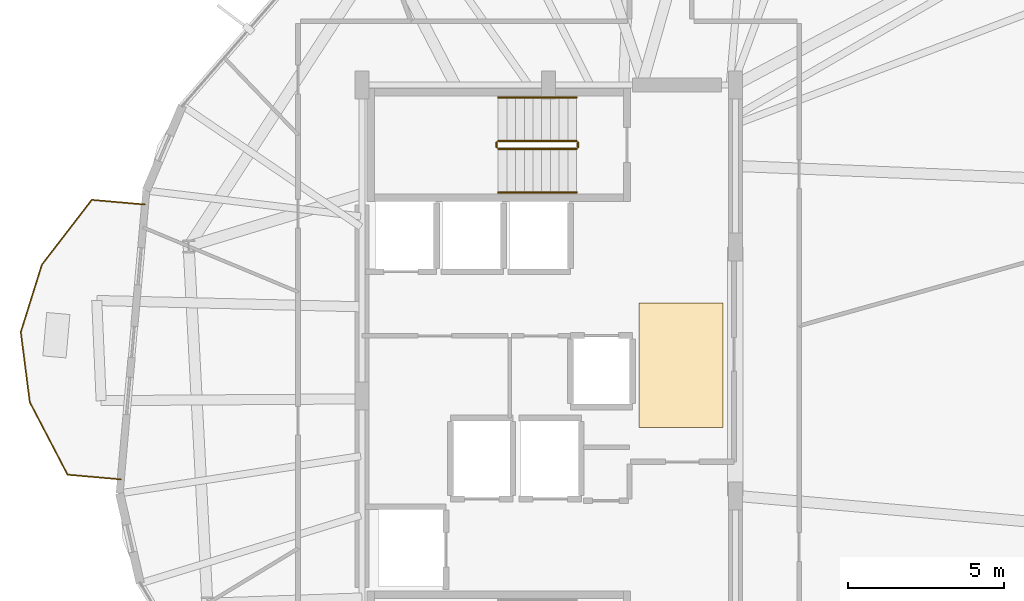
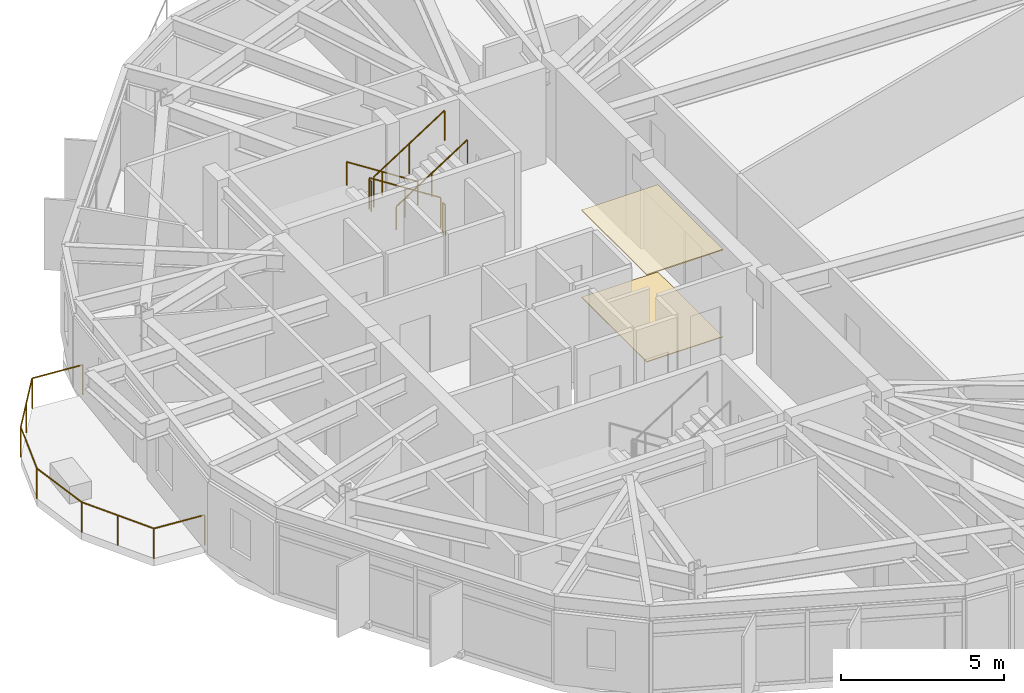
# One storey, part 26 of 27: 7 railings, 2 coverings.
"""IFC4 building model written with IfcOpenShell, lengths in metres."""

from ifc_helpers import new_model, si_unit, direction, frame, origin, origin_2d, place, context, subcontext, project, spatial, polyline, circle, outline, extrude, material, layer, layer_set, type_object, element, save


model = new_model("IFC4")

# Units and contexts
model_context = context("Model", 3, precision=1e-05, world=origin(), true_north=direction((0.0, 1.0)))
body_context = subcontext(model_context, "Body", "Model", "MODEL_VIEW")
ifc_project = project(units=[si_unit("LENGTHUNIT", "METRE"), si_unit("AREAUNIT", "SQUARE_METRE"), si_unit("VOLUMEUNIT", "CUBIC_METRE"), si_unit("PLANEANGLEUNIT", "RADIAN"), si_unit("MASSUNIT", "GRAM", prefix="KILO")], contexts=[model_context])

# Site, building, storey
site_placement = place(None, origin())
site = spatial("IfcSite", under=ifc_project, at=site_placement, CompositionType="ELEMENT")
building_placement = place(site_placement, origin())
building = spatial("IfcBuilding", under=site, at=building_placement, Name="Soratama Intermodal Tower", CompositionType="ELEMENT")
storey_placement = place(building_placement, frame((0.0, 0.0, 212.199951171875)))
storey = spatial("IfcBuildingStorey", under=building, at=storey_placement, Name="L53", CompositionType="ELEMENT", Elevation=212.199951171875)

# Coverings
ifc_material_1 = material(Name="Perforated mineral acoustic ceiling", Category="concrete")
ifc_layer_1 = layer(ifc_material_1, 0.0400390625)
ifc_layer_set_1 = layer_set([ifc_layer_1], Name="Perforated mineral acoustic ceiling")
covering_type_1 = type_object("IfcCoveringType", Name="CV-CEIL-ACOUSTIC", PredefinedType="CEILING", material=ifc_layer_set_1)
covering_1_placement = place(storey_placement, frame((0.0, 0.0, 3.260009765625)))
element("IfcCovering", 1, at=covering_1_placement, inside=storey, type_object=covering_type_1, Name="L53 Acoustic Ceiling", PredefinedType="CEILING", context=body_context, shape_type="SweptSolid", body=[
    extrude(outline(polyline([(41.5, 24.0), (44.199951171875, 24.0), (44.199951171875, 28.0), (41.5, 28.0), (41.5, 24.0)])), origin(), (0.0, 0.0, 1.0), 0.0400390625),
])
ifc_material_2 = material(Name="Polished Andean stone terrazzo flooring", Category="masonry")
ifc_layer_2 = layer(ifc_material_2, 0.030029296875)
ifc_layer_set_2 = layer_set([ifc_layer_2], Name="Polished Andean stone terrazzo flooring")
covering_type_2 = type_object("IfcCoveringType", Name="CV-FLOR-TERRAZZO", PredefinedType="FLOORING", material=ifc_layer_set_2)
covering_2_placement = place(storey_placement, origin())
element("IfcCovering", 2, at=covering_2_placement, inside=storey, type_object=covering_type_2, Name="L53 Lobby Terrazzo Flooring", PredefinedType="FLOORING", context=body_context, shape_type="SweptSolid", body=[
    extrude(outline(polyline([(41.5, 24.0), (44.199951171875, 24.0), (44.199951171875, 28.0), (41.5, 28.0), (41.5, 24.0)])), origin(), (0.0, 0.0, 1.0), 0.030029296875),
])

# Railings
ifc_material_3 = material(Name="Laminated glass and stainless steel balustrade", Category="steel")
railing_type_1 = type_object("IfcRailingType", Name="RL-BAL-1150", PredefinedType="BALUSTRADE", material=ifc_material_3)
railing_1_placement = place(storey_placement, frame((24.854248046875, 22.3251953125, 0.0)))
element("IfcRailing", 3, at=railing_1_placement, inside=storey, type_object=railing_type_1, Name="L53 Balcony Balustrade 2", PredefinedType="BALUSTRADE", context=body_context, shape_type="SweptSolid", body=[
    extrude(circle(Radius=0.02392578125, at=origin_2d()), frame((0.0, 0.0, 1.1259765625), z_axis=(-0.996131677618, 0.087873095118, 0.0), x_axis=(-0.087873095118, -0.996131677618, 0.0)), (0.0, 0.0, 1.0), 1.7197265625),
    extrude(circle(Radius=0.02392578125, at=origin_2d()), frame((-1.713134765625, 0.151123046875, 1.1259765625), z_axis=(-0.461966362138, 0.8868974463, 0.0), x_axis=(-0.8868974463, -0.461966362138, 0.0)), (0.0, 0.0, 1.0), 2.63037109375),
    extrude(circle(Radius=0.02392578125, at=origin_2d()), frame((-2.92822265625, 2.48388671875, 1.1259765625), z_axis=(-0.126933654389, 0.991911209425, 0.0), x_axis=(-0.991911209425, -0.126933654389, 0.0)), (0.0, 0.0, 1.0), 2.26953125),
    extrude(circle(Radius=0.02392578125, at=origin_2d()), frame((-3.21630859375, 4.735107421875, 1.1259765625), z_axis=(0.29861797708, 0.954372727903, 0.0), x_axis=(-0.954372727903, 0.29861797708, 0.0)), (0.0, 0.0, 1.0), 2.26953125),
    extrude(circle(Radius=0.02392578125, at=origin_2d()), frame((-2.53857421875, 6.901123046875, 1.1259765625), z_axis=(0.609961909775, 0.792430734275, 0.0), x_axis=(-0.792430734275, 0.609961909775, 0.0)), (0.0, 0.0, 1.0), 2.63037109375),
    extrude(circle(Radius=0.02392578125, at=origin_2d()), frame((-0.93408203125, 8.985595703125, 1.1259765625), z_axis=(0.996132773554, -0.08786067068, 0.0), x_axis=(0.08786067068, 0.996132773554, 0.0)), (0.0, 0.0, 1.0), 1.719970703125),
    extrude(circle(Radius=0.02099609375, at=origin_2d()), origin(), (0.0, 0.0, 1.0), 1.101806640625),
    extrude(circle(Radius=0.02099609375, at=origin_2d()), frame((-1.713134765625, 0.151123046875, 0.0)), (0.0, 0.0, 1.0), 1.101806640625),
    extrude(circle(Radius=0.02099609375, at=origin_2d()), frame((-2.32080078125, 1.3173828125, 0.0)), (0.0, 0.0, 1.0), 1.101806640625),
    extrude(circle(Radius=0.02099609375, at=origin_2d()), frame((-2.92822265625, 2.48388671875, 0.0)), (0.0, 0.0, 1.0), 1.101806640625),
    extrude(circle(Radius=0.02099609375, at=origin_2d()), frame((-3.21630859375, 4.735107421875, 0.0)), (0.0, 0.0, 1.0), 1.101806640625),
    extrude(circle(Radius=0.02099609375, at=origin_2d()), frame((-2.53857421875, 6.901123046875, 0.0)), (0.0, 0.0, 1.0), 1.101806640625),
    extrude(circle(Radius=0.02099609375, at=origin_2d()), frame((-1.736328125, 7.943359375, 0.0)), (0.0, 0.0, 1.0), 1.101806640625),
    extrude(circle(Radius=0.02099609375, at=origin_2d()), frame((-0.93408203125, 8.985595703125, 0.0)), (0.0, 0.0, 1.0), 1.101806640625),
    extrude(circle(Radius=0.02099609375, at=origin_2d()), frame((0.779296875, 8.83447265625, 0.0)), (0.0, 0.0, 1.0), 1.101806640625),
])
ifc_material_4 = material(Name="Painted steel stair guardrail", Category="steel")
railing_type_2 = type_object("IfcRailingType", Name="RL-STAIR-GUARD", PredefinedType="GUARDRAIL", material=ifc_material_4)
railing_2_placement = place(storey_placement, frame((39.5, 33.199951171875, 0.179931640625)))
element("IfcRailing", 4, at=railing_2_placement, inside=storey, type_object=railing_type_2, Name="L53 ST-2 stair guard 1", PredefinedType="GUARDRAIL", context=body_context, shape_type="SweptSolid", body=[
    extrude(circle(Radius=0.02392578125, at=origin_2d()), frame((0.0, 0.0, 1.1259765625), z_axis=(-0.841162588446, 0.0, 0.540782303519), x_axis=(0.0, -1.0, 0.0)), (0.0, 0.0, 1.0), 2.995849609375),
    extrude(circle(Radius=0.02099609375, at=origin_2d()), origin(), (0.0, 0.0, 1.0), 1.101806640625),
    extrude(circle(Radius=0.02099609375, at=origin_2d()), frame((-1.260009765625, 0.0, 0.81005859375)), (0.0, 0.0, 1.0), 1.101806640625),
    extrude(circle(Radius=0.02099609375, at=origin_2d()), frame((-2.52001953125, 0.0, 1.6201171875)), (0.0, 0.0, 1.0), 1.101806640625),
])
railing_3_placement = place(storey_placement, frame((36.929931640625, 33.14990234375, 1.800048828125)))
element("IfcRailing", 5, at=railing_3_placement, inside=storey, type_object=railing_type_2, Name="L53 ST-2 stair guard 2", PredefinedType="GUARDRAIL", context=body_context, shape_type="SweptSolid", body=[
    extrude(circle(Radius=0.02392578125, at=origin_2d()), frame((0.0, 0.0, 1.1259765625), z_axis=(0.0, -1.0, 0.0), x_axis=(1.0, 0.0, 0.0)), (0.0, 0.0, 1.0), 0.14990234375),
    extrude(circle(Radius=0.02099609375, at=origin_2d()), origin(), (0.0, 0.0, 1.0), 1.101806640625),
    extrude(circle(Radius=0.02099609375, at=origin_2d()), frame((0.0, -0.14990234375, 0.0)), (0.0, 0.0, 1.0), 1.101806640625),
])
railing_4_placement = place(storey_placement, frame((36.97998046875, 32.949951171875, 1.97998046875)))
element("IfcRailing", 6, at=railing_4_placement, inside=storey, type_object=railing_type_2, Name="L53 ST-2 stair guard 3", PredefinedType="GUARDRAIL", context=body_context, shape_type="SweptSolid", body=[
    extrude(circle(Radius=0.02392578125, at=origin_2d()), frame((0.0, 0.0, 1.1259765625), z_axis=(0.841162588446, 0.0, 0.540782303519), x_axis=(0.0, 1.0, 0.0)), (0.0, 0.0, 1.0), 2.995849609375),
    extrude(circle(Radius=0.02099609375, at=origin_2d()), origin(), (0.0, 0.0, 1.0), 1.101806640625),
    extrude(circle(Radius=0.02099609375, at=origin_2d()), frame((1.260009765625, 0.0, 0.81005859375)), (0.0, 0.0, 1.0), 1.101806640625),
    extrude(circle(Radius=0.02099609375, at=origin_2d()), frame((2.52001953125, 0.0, 1.6201171875)), (0.0, 0.0, 1.0), 1.101806640625),
])
railing_5_placement = place(storey_placement, frame((39.550048828125, 33.14990234375, 0.0)))
element("IfcRailing", 7, at=railing_5_placement, inside=storey, type_object=railing_type_2, Name="L53 ST-2 stair guard 4", PredefinedType="GUARDRAIL", context=body_context, shape_type="SweptSolid", body=[
    extrude(circle(Radius=0.02392578125, at=origin_2d()), frame((0.0, 0.0, 1.1259765625), z_axis=(0.0, -1.0, 0.0), x_axis=(1.0, 0.0, 0.0)), (0.0, 0.0, 1.0), 0.14990234375),
    extrude(circle(Radius=0.02099609375, at=origin_2d()), origin(), (0.0, 0.0, 1.0), 1.101806640625),
    extrude(circle(Radius=0.02099609375, at=origin_2d()), frame((0.0, -0.14990234375, 0.0)), (0.0, 0.0, 1.0), 1.101806640625),
])
ifc_material_5 = material(Name="Brushed stainless steel handrail", Category="steel")
railing_type_3 = type_object("IfcRailingType", Name="RL-STAIR-HAND", PredefinedType="HANDRAIL", material=ifc_material_5)
railing_6_placement = place(storey_placement, frame((39.5, 34.60009765625, 0.179931640625)))
element("IfcRailing", 8, at=railing_6_placement, inside=storey, type_object=railing_type_3, Name="L53 ST-2 stair handrail 1", PredefinedType="HANDRAIL", context=body_context, shape_type="SweptSolid", body=[
    extrude(circle(Radius=0.02392578125, at=origin_2d()), frame((0.0, 0.0, 0.8759765625), z_axis=(-0.841162588446, 0.0, 0.540782303519), x_axis=(0.0, -1.0, 0.0)), (0.0, 0.0, 1.0), 2.995849609375),
    extrude(circle(Radius=0.02099609375, at=origin_2d()), origin(), (0.0, 0.0, 1.0), 0.851806640625),
    extrude(circle(Radius=0.02099609375, at=origin_2d()), frame((-1.260009765625, 0.0, 0.81005859375)), (0.0, 0.0, 1.0), 0.851806640625),
    extrude(circle(Radius=0.02099609375, at=origin_2d()), frame((-2.52001953125, 0.0, 1.6201171875)), (0.0, 0.0, 1.0), 0.851806640625),
])
railing_7_placement = place(storey_placement, frame((36.97998046875, 31.550048828125, 1.97998046875)))
element("IfcRailing", 9, at=railing_7_placement, inside=storey, type_object=railing_type_3, Name="L53 ST-2 stair handrail 2", PredefinedType="HANDRAIL", context=body_context, shape_type="SweptSolid", body=[
    extrude(circle(Radius=0.02392578125, at=origin_2d()), frame((0.0, 0.0, 0.8759765625), z_axis=(0.841162588446, 0.0, 0.540782303519), x_axis=(0.0, 1.0, 0.0)), (0.0, 0.0, 1.0), 2.995849609375),
    extrude(circle(Radius=0.02099609375, at=origin_2d()), origin(), (0.0, 0.0, 1.0), 0.851806640625),
    extrude(circle(Radius=0.02099609375, at=origin_2d()), frame((1.260009765625, 0.0, 0.81005859375)), (0.0, 0.0, 1.0), 0.851806640625),
    extrude(circle(Radius=0.02099609375, at=origin_2d()), frame((2.52001953125, 0.0, 1.6201171875)), (0.0, 0.0, 1.0), 0.851806640625),
])

save(model, "model.ifc")
